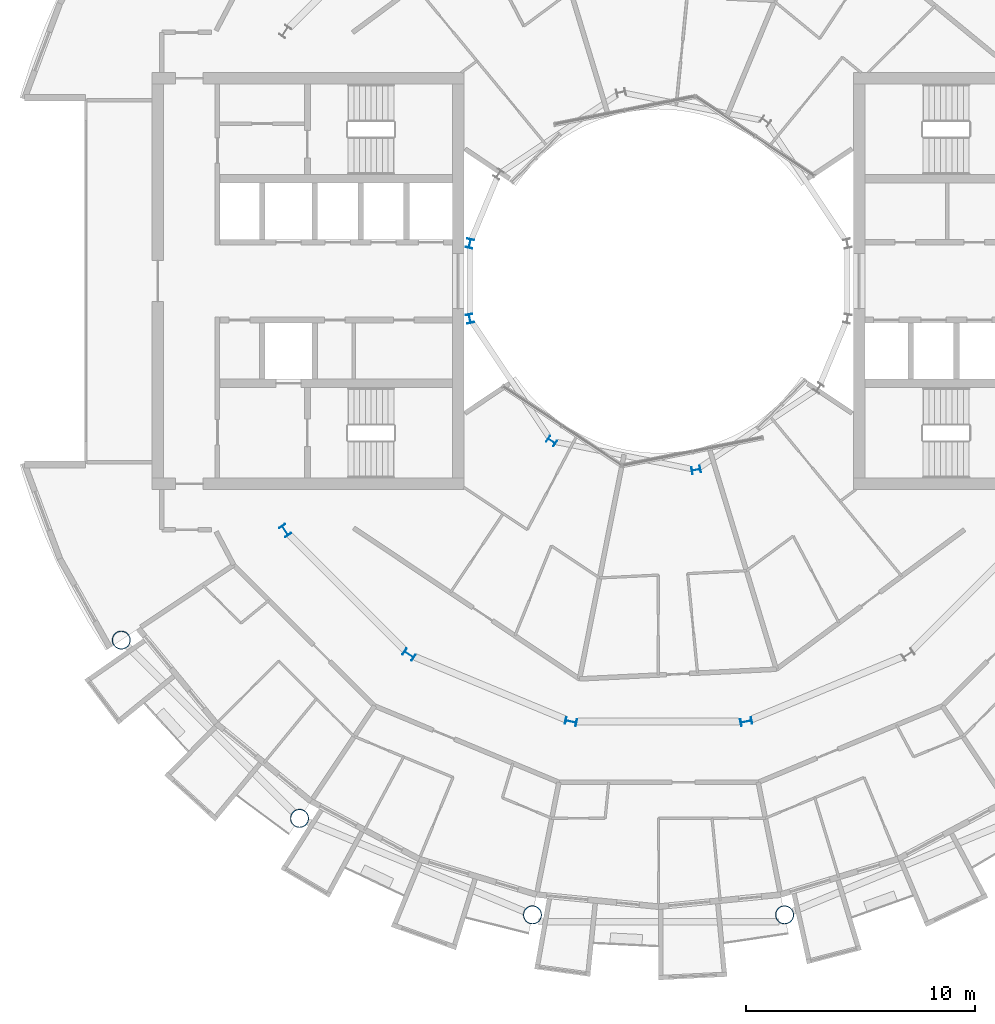
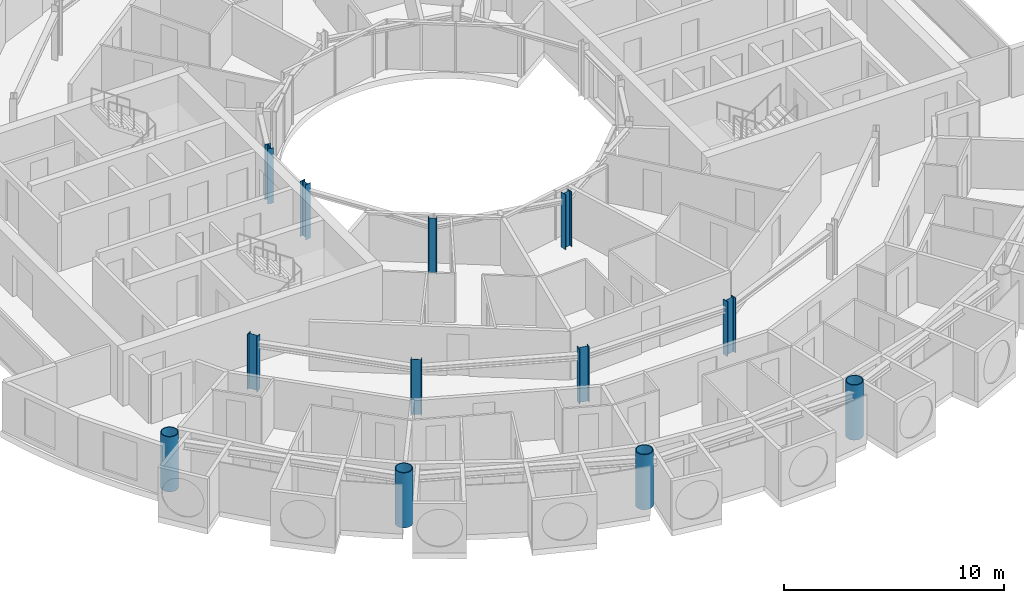
# One storey, part 1 of 27: 12 columns.
"""IFC4 building model written with IfcOpenShell, lengths in metres."""

from ifc_helpers import new_model, si_unit, direction, frame, origin, origin_2d, place, context, subcontext, project, spatial, hollow_circle, i_section, extrude, material, material_profile, profile_set, type_object, element, save


model = new_model("IFC4")

# Units and contexts
model_context = context("Model", 3, precision=1e-05, world=origin(), true_north=direction((0.0, 1.0)))
body_context = subcontext(model_context, "Body", "Model", "MODEL_VIEW")
ifc_project = project(units=[si_unit("LENGTHUNIT", "METRE"), si_unit("AREAUNIT", "SQUARE_METRE"), si_unit("VOLUMEUNIT", "CUBIC_METRE"), si_unit("PLANEANGLEUNIT", "RADIAN"), si_unit("MASSUNIT", "GRAM", prefix="KILO")], contexts=[model_context])

# Site, building, storey
site_placement = place(None, origin())
site = spatial("IfcSite", under=ifc_project, at=site_placement, CompositionType="ELEMENT")
building_placement = place(site_placement, origin())
building = spatial("IfcBuilding", under=site, at=building_placement, Name="Maasbend Ring Residences", CompositionType="ELEMENT")
storey_placement = place(building_placement, frame((0.0, 0.0, 167.699951171875)))
storey = spatial("IfcBuildingStorey", under=building, at=storey_placement, Name="L48", CompositionType="ELEMENT", Elevation=167.699951171875)

# Columns
ifc_material_1 = material(Name="Composite concrete-filled steel tube S460NH / C80/95", Category="concrete")
ifc_material_profile_1 = material_profile(ifc_material_1, hollow_circle(Radius=0.406494140625, WallThickness=0.0400390625, at=origin_2d()), Name="Composite tube column CHS 813x40")
ifc_profile_set_1 = profile_set([ifc_material_profile_1], Name="Composite concrete-filled steel tube S460NH / C80/95")
column_type_1 = type_object("IfcColumnType", Name="Composite tube column CHS 813x40", PredefinedType="COLUMN", material=ifc_profile_set_1)
for number, where, z_axis, x_axis, name in (
    (1, (-23.447509765625, -15.6669921875, 0.0), (0.0, 0.0, 1.0), (1.0, 0.0, 0.0), "Outer column R10"),
    (2, (-15.6669921875, -23.447509765625, 0.0), (0.0, 0.0, 1.0), (1.0, 0.0, 0.0), "Outer column R11"),
    (3, (-5.50146484375, -27.658203125, 0.0), (0.0, 0.0, 1.0), (1.0, 0.0, 0.0), "Outer column R12"),
    (4, (5.50146484375, -27.658203125, 0.0), (0.0, 0.0, 1.0), (1.0, 0.0, 0.0), "Outer column R13"),
):
    element("IfcColumn", number, at=place(storey_placement, frame(where, z_axis=z_axis, x_axis=x_axis)), inside=storey, type_object=column_type_1, Name=name, PredefinedType="COLUMN", context=body_context, shape_type="SweptSolid", body=[
        extrude(hollow_circle(Radius=0.406494140625, WallThickness=0.0400390625, at=origin_2d()), origin(), (0.0, 0.0, 1.0), 3.050048828125),
    ])
ifc_material_2 = material(Name="Steel S355J2", Category="steel")
ifc_material_profile_2 = material_profile(ifc_material_2, i_section(OverallWidth=0.300048828125, OverallDepth=0.389892578125, WebThickness=0.010986328125, FlangeThickness=0.01904296875, FilletRadius=0.027099609375, at=origin_2d()), Name="HEA 400")
ifc_profile_set_2 = profile_set([ifc_material_profile_2], Name="Steel S355J2")
column_type_2 = type_object("IfcColumnType", Name="Steel column HEA 400", PredefinedType="COLUMN", material=ifc_profile_set_2)
for number, where, z_axis, x_axis, name in (
    (5, (-8.238525390625, 1.638916015625, 0.0), (0.0, 0.0, 1.0), (-0.980785280403, 0.195090322016, 0.0), "Well ring column R8"),
    (6, (-8.238525390625, -1.638916015625, 0.0), (0.0, 0.0, 1.0), (-0.980785280403, -0.195090322016, 0.0), "Well ring column R9"),
    (7, (-4.666748046875, -6.984375, 0.0), (0.0, 0.0, 1.0), (-0.55557023302, -0.831469612303, 0.0), "Well ring column R11"),
    (8, (1.638916015625, -8.238525390625, 0.0), (0.0, 0.0, 1.0), (0.195090322016, -0.980785280403, 0.0), "Well ring column R13"),
):
    element("IfcColumn", number, at=place(storey_placement, frame(where, z_axis=z_axis, x_axis=x_axis)), inside=storey, type_object=column_type_2, Name=name, PredefinedType="COLUMN", context=body_context, shape_type="SweptSolid", body=[
        extrude(i_section(OverallWidth=0.300048828125, OverallDepth=0.389892578125, WebThickness=0.010986328125, FlangeThickness=0.01904296875, FilletRadius=0.027099609375, at=origin_2d()), origin(), (0.0, 0.0, 1.0), 3.050048828125),
    ])
ifc_material_3 = material(Name="Steel S355J2", Category="steel")
ifc_material_profile_3 = material_profile(ifc_material_3, i_section(OverallWidth=0.300048828125, OverallDepth=0.5, WebThickness=0.014404296875, FlangeThickness=0.028076171875, FilletRadius=0.027099609375, at=origin_2d()), Name="HEB 500")
ifc_profile_set_3 = profile_set([ifc_material_profile_3], Name="Steel S355J2")
column_type_3 = type_object("IfcColumnType", Name="Steel column HEB 500", PredefinedType="COLUMN", material=ifc_profile_set_3)
for number, where, z_axis, x_axis, name in (
    (9, (-16.296875, -10.88916015625, 0.0), (0.0, 0.0, 1.0), (-0.831469612303, -0.55557023302, 0.0), "Corridor ring column R10"),
    (10, (-10.88916015625, -16.296875, 0.0), (0.0, 0.0, 1.0), (-0.55557023302, -0.831469612303, 0.0), "Corridor ring column R11"),
    (11, (-3.82373046875, -19.223388671875, 0.0), (0.0, 0.0, 1.0), (-0.195090322016, -0.980785280403, 0.0), "Corridor ring column R12"),
    (12, (3.82373046875, -19.223388671875, 0.0), (0.0, 0.0, 1.0), (0.195090322016, -0.980785280403, 0.0), "Corridor ring column R13"),
):
    element("IfcColumn", number, at=place(storey_placement, frame(where, z_axis=z_axis, x_axis=x_axis)), inside=storey, type_object=column_type_3, Name=name, PredefinedType="COLUMN", context=body_context, shape_type="SweptSolid", body=[
        extrude(i_section(OverallWidth=0.300048828125, OverallDepth=0.5, WebThickness=0.014404296875, FlangeThickness=0.028076171875, FilletRadius=0.027099609375, at=origin_2d()), origin(), (0.0, 0.0, 1.0), 3.050048828125),
    ])

save(model, "model.ifc")
